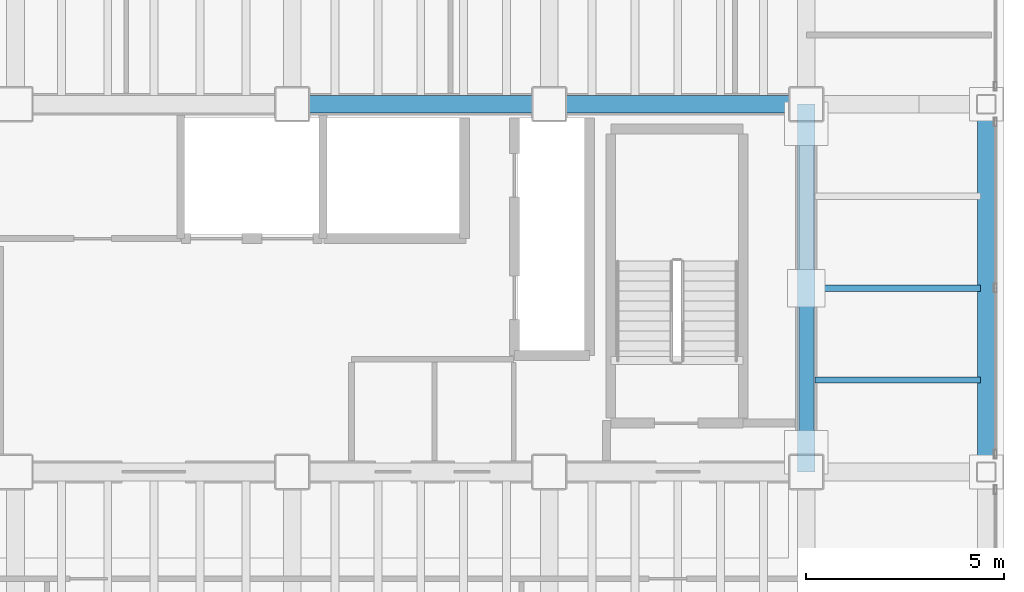
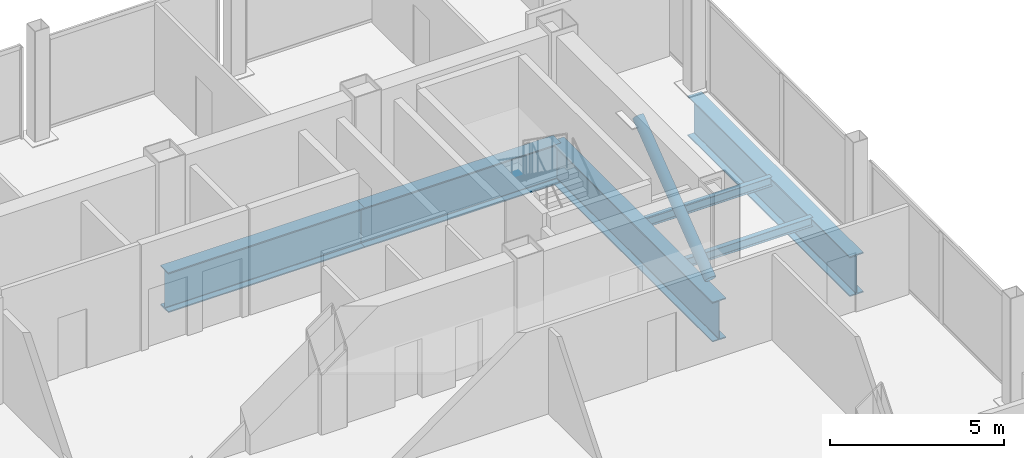
# One storey, part 17 of 24: 6 beams, 1 member.
"""IFC4 building model written with IfcOpenShell, lengths in metres."""

from ifc_helpers import new_model, si_unit, direction, frame, origin, origin_2d, place, context, subcontext, project, spatial, hollow_circle, i_section, extrude, material, material_profile, profile_set, type_object, element, save


model = new_model("IFC4")

# Units and contexts
model_context = context("Model", 3, precision=1e-05, world=origin(), true_north=direction((0.0, 1.0)))
body_context = subcontext(model_context, "Body", "Model", "MODEL_VIEW")
ifc_project = project(units=[si_unit("LENGTHUNIT", "METRE"), si_unit("AREAUNIT", "SQUARE_METRE"), si_unit("VOLUMEUNIT", "CUBIC_METRE"), si_unit("PLANEANGLEUNIT", "RADIAN"), si_unit("MASSUNIT", "GRAM", prefix="KILO")], contexts=[model_context])

# Site, building, storey
site_placement = place(None, origin())
site = spatial("IfcSite", under=ifc_project, at=site_placement, CompositionType="ELEMENT")
building_placement = place(site_placement, origin())
building = spatial("IfcBuilding", under=site, at=building_placement, Name="Noeulbin Bourse Tower", CompositionType="ELEMENT")
storey_placement = place(building_placement, frame((0.0, 0.0, 142.199951171875)))
storey = spatial("IfcBuildingStorey", under=building, at=storey_placement, Name="L35", CompositionType="ELEMENT", Elevation=142.199951171875)

# Beams
ifc_material_1 = material(Name="Steel S355", Category="steel")
ifc_material_profile_1 = material_profile(ifc_material_1, i_section(OverallWidth=0.159912109375, OverallDepth=0.320068359375, WebThickness=0.006591796875, FlangeThickness=0.010009765625, FilletRadius=0.012939453125, at=origin_2d()), Name="H-320x160x6.5x10", Category="LoadBearing")
ifc_profile_set_1 = profile_set([ifc_material_profile_1], Name="Steel S355")
beam_type_1 = type_object("IfcBeamType", Name="BM-JST-320", PredefinedType="JOIST", material=ifc_profile_set_1)
for number, where, z_axis, x_axis, name in (
    (1, (44.22509765625, 31.324951171875, -0.39990234375), (1.0, 0.0, 0.0), (0.0, 1.0, 0.0), "Wing Composite Joist L35-E76"),
    (2, (44.22509765625, 33.64990234375, -0.39990234375), (1.0, 0.0, 0.0), (0.0, 1.0, 0.0), "Wing Composite Joist L35-E77"),
):
    element("IfcBeam", number, at=place(storey_placement, frame(where, z_axis=z_axis, x_axis=x_axis)), inside=storey, type_object=beam_type_1, Name=name, PredefinedType="JOIST", context=body_context, shape_type="SweptSolid", body=[
        extrude(i_section(OverallWidth=0.159912109375, OverallDepth=0.320068359375, WebThickness=0.006591796875, FlangeThickness=0.010009765625, FilletRadius=0.012939453125, at=origin_2d()), origin(), (0.0, 0.0, 1.0), 4.1748046875),
    ])
ifc_material_2 = material(Name="Steel S460", Category="steel")
ifc_material_profile_2 = material_profile(ifc_material_2, i_section(OverallWidth=0.449951171875, OverallDepth=1.39990234375, WebThickness=0.02392578125, FlangeThickness=0.0400390625, FilletRadius=0.02392578125, at=origin_2d()), Name="PG-1400x450x24x40", Category="LoadBearing")
ifc_profile_set_2 = profile_set([ifc_material_profile_2], Name="Steel S460")
beam_type_2 = type_object("IfcBeamType", Name="BM-TRF-1400", PredefinedType="USERDEFINED", material=ifc_profile_set_2)
for number, where, z_axis, x_axis, name in (
    (3, (31.0, 38.300048828125, -0.93994140625), (1.0, 0.0, 0.0), (0.0, 1.0, 0.0), "Tower Primary Girder EW L35-3.3"),
    (4, (37.5, 38.300048828125, -0.93994140625), (1.0, 0.0, 0.0), (0.0, 1.0, 0.0), "Tower Primary Girder EW L35-3.4"),
):
    element("IfcBeam", number, at=place(storey_placement, frame(where, z_axis=z_axis, x_axis=x_axis)), inside=storey, type_object=beam_type_2, Name=name, ObjectType="GIRDER", PredefinedType="USERDEFINED", context=body_context, shape_type="SweptSolid", body=[
        extrude(i_section(OverallWidth=0.449951171875, OverallDepth=1.39990234375, WebThickness=0.02392578125, FlangeThickness=0.0400390625, FilletRadius=0.02392578125, at=origin_2d()), origin(), (0.0, 0.0, 1.0), 6.5),
    ])
for number, where, z_axis, x_axis, name in (
    (5, (44.0, 29.0, -0.93994140625), (0.0, 1.0, 0.0), (-1.0, 0.0, 0.0), "Tower Primary Girder NS L35-5.3"),
    (6, (48.550048828125, 29.0, -0.93994140625), (0.0, 1.0, 0.0), (-1.0, 0.0, 0.0), "East Spandrel L35-2"),
):
    element("IfcBeam", number, at=place(storey_placement, frame(where, z_axis=z_axis, x_axis=x_axis)), inside=storey, type_object=beam_type_2, Name=name, ObjectType="GIRDER", PredefinedType="USERDEFINED", context=body_context, shape_type="SweptSolid", body=[
        extrude(i_section(OverallWidth=0.449951171875, OverallDepth=1.39990234375, WebThickness=0.02392578125, FlangeThickness=0.0400390625, FilletRadius=0.02392578125, at=origin_2d()), origin(), (0.0, 0.0, 1.0), 9.300048828125),
    ])

# Member
ifc_material_profile_3 = material_profile(ifc_material_1, hollow_circle(Radius=0.177734375, WallThickness=0.0126953125, at=origin_2d()), Name="CHS-355.6x12.7", Category="LoadBearing")
ifc_profile_set_3 = profile_set([ifc_material_profile_3], Name="Steel S355")
member_type = type_object("IfcMemberType", Name="MEM-EXO-356", PredefinedType="BRACE", material=ifc_profile_set_3)
member_placement = place(storey_placement, frame((44.0, 29.5, 0.199951171875), z_axis=(0.0, 0.794661610537, 0.607052654008), x_axis=(-1.0, 0.0, 0.0)))
element("IfcMember", 7, at=member_placement, inside=storey, type_object=member_type, Name="Core Flank Chevron Brace XT-L35-E1", PredefinedType="BRACE", context=body_context, shape_type="SweptSolid", body=[
    extrude(hollow_circle(Radius=0.177734375, WallThickness=0.0126953125, at=origin_2d()), origin(), (0.0, 0.0, 1.0), 5.22216796875),
])

save(model, "model.ifc")
